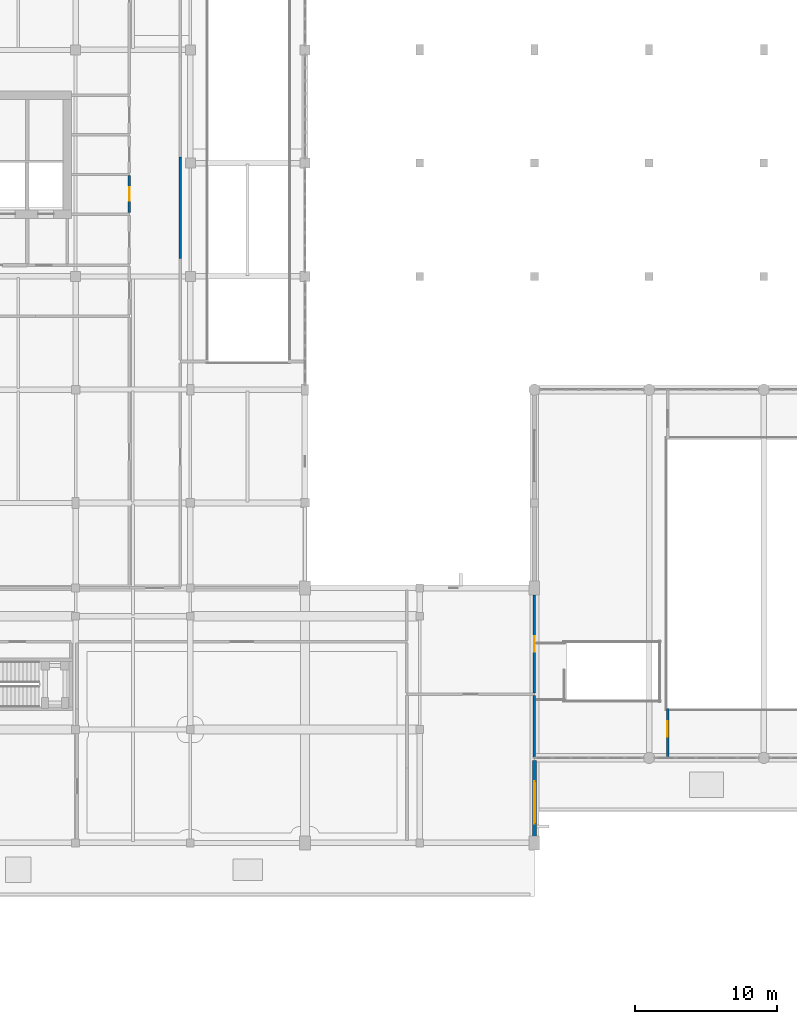
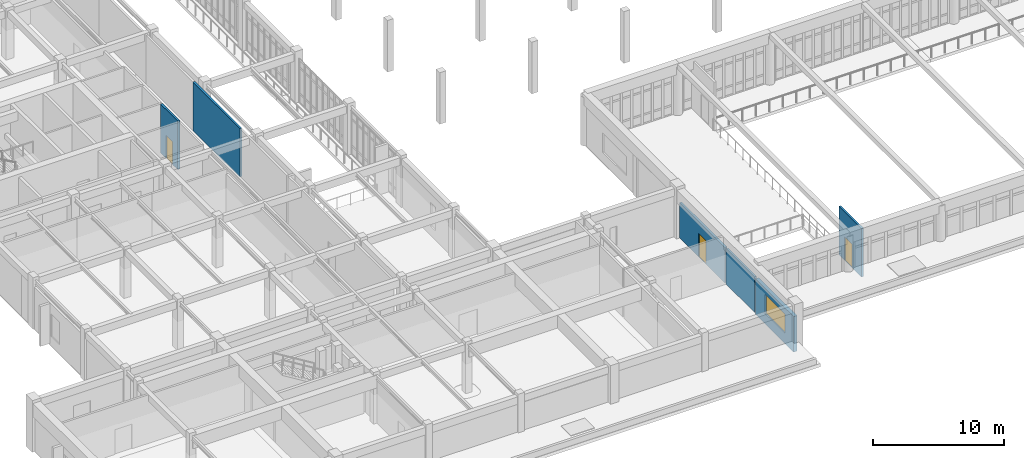
# One storey, part 44 of 61: 6 walls, 3 doors, 1 window, 4 openings.
"""IFC4 building model written with IfcOpenShell, lengths in metres."""

from ifc_helpers import new_model, si_unit, direction, frame, frame_2d, origin, place, context, subcontext, project, spatial, rectangle, extrude, material, layer, layer_set, type_object, element, fill, save


model = new_model("IFC4")

# Units and contexts
model_context = context("Model", 3, precision=1e-05, world=origin(), true_north=direction((0.0, 1.0)))
body_context = subcontext(model_context, "Body", "Model", "MODEL_VIEW")
ifc_project = project(units=[si_unit("LENGTHUNIT", "METRE"), si_unit("AREAUNIT", "SQUARE_METRE"), si_unit("VOLUMEUNIT", "CUBIC_METRE"), si_unit("PLANEANGLEUNIT", "RADIAN"), si_unit("MASSUNIT", "GRAM", prefix="KILO")], contexts=[model_context])

# Site, building, storey
site_placement = place(None, origin())
site = spatial("IfcSite", under=ifc_project, at=site_placement, CompositionType="ELEMENT")
building_placement = place(site_placement, origin())
building = spatial("IfcBuilding", under=site, at=building_placement, Name="Tarnveldt Square Police Headquarters", CompositionType="ELEMENT")
storey_placement = place(building_placement, frame((0.0, 0.0, 5.39990234375)))
storey = spatial("IfcBuildingStorey", under=building, at=storey_placement, Name="L01", CompositionType="ELEMENT", Elevation=5.39990234375)

# Wall, opening, window
ifc_material_1 = material(Name="Manganese ironspot clay brick masonry 20 MPa", Category="masonry")
ifc_layer_1 = layer(ifc_material_1, 0.300048828125)
ifc_layer_set_1 = layer_set([ifc_layer_1], Name="Manganese ironspot clay brick masonry 20 MPa")
wall_type_1 = type_object("IfcWallType", Name="WL-EXT-BRK300", PredefinedType="SOLIDWALL", material=ifc_layer_set_1)
wall_1_placement = place(storey_placement, frame((64.800048828125, 16.0, 0.0), z_axis=(0.0, 0.0, 1.0), x_axis=(0.0, 1.0, 0.0)))
wall_1 = element("IfcWall", 1, at=wall_1_placement, inside=storey, type_object=wall_type_1, Name="L01 Brutalist Exterior Wall 0065", PredefinedType="SOLIDWALL", context=body_context, shape_type="SweptSolid", body=[
    extrude(rectangle(XDim=5.820068359375, YDim=0.300048828125, at=frame_2d((2.91015625, 0.0))), origin(), (0.0, 0.0, 1.0), 3.31201171875),
])
opening_1_placement = place(wall_1_placement, frame((1.35009765625, 0.0, 0.949951171875)))
opening_1 = element("IfcOpeningElement", 2, at=opening_1_placement, cuts=wall_1, Name="Opening W17", PredefinedType="OPENING", context=body_context, shape_type="SweptSolid", body=[
    extrude(rectangle(XDim=3.0, YDim=1.800048828125, at=frame_2d((1.5, 0.89990234375))), frame((0.0, 0.159912109375, 0.0), z_axis=(0.0, -1.0, 0.0), x_axis=(1.0, 0.0, 0.0)), (0.0, 0.0, 1.0), 0.320068359375),
])
ifc_material_2 = material(Name="Triple-glazed low-e laminated vision glass", Category="glass")
window_type = type_object("IfcWindowType", Name="WIN-DR-300x180", PartitioningType="TRIPLE_PANEL_VERTICAL", PredefinedType="WINDOW", material=ifc_material_2)
window_placement = place(opening_1_placement, origin())
window = element("IfcWindow", 3, at=window_placement, inside=storey, type_object=window_type, Name="L01 Deep-Reveal Brutalist Window 0017", OverallHeight=1.800048828125, OverallWidth=3.0, PartitioningType="TRIPLE_PANEL_VERTICAL", PredefinedType="WINDOW", context=body_context, shape_type="SweptSolid", body=[
    extrude(rectangle(XDim=3.0, YDim=1.800048828125, at=frame_2d((1.5, 0.89990234375))), frame((0.0, 0.030029296875, 0.0), z_axis=(0.0, -1.0, 0.0), x_axis=(1.0, 0.0, 0.0)), (0.0, 0.0, 1.0), 0.06005859375),
])
fill(opening_1, window)

# Wall, opening, door
ifc_material_3 = material(Name="Fire-rated Type X gypsum board on steel studs", Category="steel")
ifc_layer_2 = layer(ifc_material_3, 0.179931640625)
ifc_layer_set_2 = layer_set([ifc_layer_2], Name="Fire-rated Type X gypsum board on steel studs")
wall_type_2 = type_object("IfcWallType", Name="WL-FIRE-180", PredefinedType="PARTITIONING", material=ifc_layer_set_2)
wall_2_placement = place(storey_placement, frame((36.199951171875, 60.498046875, 0.0), z_axis=(0.0, 0.0, 1.0), x_axis=(0.0, 1.0, 0.0)))
wall_2 = element("IfcWall", 4, at=wall_2_placement, inside=storey, type_object=wall_type_2, Name="L01 Interior Partition Wall 0277", PredefinedType="PARTITIONING", context=body_context, shape_type="SweptSolid", body=[
    extrude(rectangle(XDim=2.614013671875, YDim=0.179931640625, at=frame_2d((1.30712890625, 0.0))), origin(), (0.0, 0.0, 1.0), 4.52001953125),
])
opening_2_placement = place(wall_2_placement, frame((0.83203125, 0.0, 0.0)))
opening_2 = element("IfcOpeningElement", 5, at=opening_2_placement, cuts=wall_2, Name="Opening D02", PredefinedType="OPENING", context=body_context, shape_type="SweptSolid", body=[
    extrude(rectangle(XDim=0.949951171875, YDim=2.10009765625, at=frame_2d((0.47509765625, 1.050048828125))), frame((0.0, 0.099853515625, 0.0), z_axis=(0.0, -1.0, 0.0), x_axis=(1.0, 0.0, 0.0)), (0.0, 0.0, 1.0), 0.199951171875),
])
ifc_material_4 = material(Name="Solid core architectural birch door leaf", Category="wood")
door_type_1 = type_object("IfcDoorType", Name="DR-WC-950", OperationType="NOTDEFINED", PredefinedType="DOOR", material=ifc_material_4)
door_1_placement = place(opening_2_placement, origin())
door_1 = element("IfcDoor", 6, at=door_1_placement, inside=storey, type_object=door_type_1, Name="Men Washroom L01 Door", OperationType="SINGLE_SWING_LEFT", OverallHeight=2.10009765625, OverallWidth=0.949951171875, PredefinedType="DOOR", context=body_context, shape_type="SweptSolid", body=[
    extrude(rectangle(XDim=0.949951171875, YDim=2.10009765625, at=frame_2d((0.47509765625, 1.050048828125))), frame((0.0, 0.02490234375, 0.0), z_axis=(0.0, -1.0, 0.0), x_axis=(1.0, 0.0, 0.0)), (0.0, 0.0, 1.0), 0.050048828125),
])
fill(opening_2, door_1)

# Walls
wall_3_placement = place(storey_placement, frame((39.800048828125, 57.264892578125, 0.0), z_axis=(0.0, 0.0, 1.0), x_axis=(0.0, 1.0, 0.0)))
element("IfcWall", 7, at=wall_3_placement, inside=storey, type_object=wall_type_2, Name="L01 Interior Partition Wall 0286", PredefinedType="PARTITIONING", context=body_context, shape_type="SweptSolid", body=[
    extrude(rectangle(XDim=7.15673828125, YDim=0.179931640625, at=frame_2d((3.578369140625, 0.0))), origin(), (0.0, 0.0, 1.0), 4.52001953125),
])
wall_4_placement = place(storey_placement, frame((64.800048828125, 22.06494140625, 0.0), z_axis=(0.0, 0.0, 1.0), x_axis=(0.0, 1.0, 0.0)))
element("IfcWall", 8, at=wall_4_placement, inside=storey, type_object=wall_type_2, Name="L01 Interior Partition Wall 0302", PredefinedType="PARTITIONING", context=body_context, shape_type="SweptSolid", body=[
    extrude(rectangle(XDim=4.337158203125, YDim=0.179931640625, at=frame_2d((2.16845703125, 0.0))), origin(), (0.0, 0.0, 1.0), 3.31201171875),
])

# Wall, opening, door
wall_5_placement = place(storey_placement, frame((64.800048828125, 26.597900390625, 0.0), z_axis=(0.0, 0.0, 1.0), x_axis=(0.0, 1.0, 0.0)))
wall_5 = element("IfcWall", 9, at=wall_5_placement, inside=storey, type_object=wall_type_2, Name="L01 Interior Partition Wall 0303", PredefinedType="PARTITIONING", context=body_context, shape_type="SweptSolid", body=[
    extrude(rectangle(XDim=6.89404296875, YDim=0.179931640625, at=frame_2d((3.447021484375, 0.0))), origin(), (0.0, 0.0, 1.0), 3.31201171875),
])
opening_3_placement = place(wall_5_placement, frame((2.89697265625, 0.0, 0.0)))
opening_3 = element("IfcOpeningElement", 10, at=opening_3_placement, cuts=wall_5, Name="Opening D15", PredefinedType="OPENING", context=body_context, shape_type="SweptSolid", body=[
    extrude(rectangle(XDim=1.10009765625, YDim=2.199951171875, at=frame_2d((0.550048828125, 1.10009765625))), frame((0.0, 0.099853515625, 0.0), z_axis=(0.0, -1.0, 0.0), x_axis=(1.0, 0.0, 0.0)), (0.0, 0.0, 1.0), 0.199951171875),
])
ifc_material_5 = material(Name="Insulated hollow metal steel door leaf", Category="steel")
door_type_2 = type_object("IfcDoorType", Name="DR-FD60-1100", OperationType="NOTDEFINED", PredefinedType="DOOR", material=ifc_material_5)
door_2_placement = place(opening_3_placement, origin())
door_2 = element("IfcDoor", 11, at=door_2_placement, inside=storey, type_object=door_type_2, Name="Community Plinth East Vestibule L01 Door", OperationType="SINGLE_SWING_RIGHT", OverallHeight=2.199951171875, OverallWidth=1.10009765625, PredefinedType="DOOR", context=body_context, shape_type="SweptSolid", body=[
    extrude(rectangle(XDim=1.10009765625, YDim=2.199951171875, at=frame_2d((0.550048828125, 1.10009765625))), frame((0.0, 0.02490234375, 0.0), z_axis=(0.0, -1.0, 0.0), x_axis=(1.0, 0.0, 0.0)), (0.0, 0.0, 1.0), 0.050048828125),
])
fill(opening_3, door_2)

wall_6_placement = place(storey_placement, frame((74.199951171875, 22.06494140625, 0.0), z_axis=(0.0, 0.0, 1.0), x_axis=(0.0, 1.0, 0.0)))
wall_6 = element("IfcWall", 12, at=wall_6_placement, inside=storey, type_object=wall_type_2, Name="L01 Interior Partition Wall 0306", PredefinedType="PARTITIONING", context=body_context, shape_type="SweptSolid", body=[
    extrude(rectangle(XDim=3.425048828125, YDim=0.179931640625, at=frame_2d((1.71240234375, 0.0))), origin(), (0.0, 0.0, 1.0), 4.52001953125),
])
opening_4_placement = place(wall_6_placement, frame((1.4365234375, 0.0, 0.0)))
opening_4 = element("IfcOpeningElement", 13, at=opening_4_placement, cuts=wall_6, Name="Opening D07", PredefinedType="OPENING", context=body_context, shape_type="SweptSolid", body=[
    extrude(rectangle(XDim=1.10009765625, YDim=2.199951171875, at=frame_2d((0.550048828125, 1.10009765625))), frame((0.0, 0.099853515625, 0.0), z_axis=(0.0, -1.0, 0.0), x_axis=(1.0, 0.0, 0.0)), (0.0, 0.0, 1.0), 0.199951171875),
])
door_type_3 = type_object("IfcDoorType", Name="DR-INT-1100", OperationType="NOTDEFINED", PredefinedType="DOOR", material=ifc_material_4)
door_3_placement = place(opening_4_placement, frame((1.10009765625, 0.0, 0.0), z_axis=(0.0, 0.0, 1.0), x_axis=(-1.0, 0.0, 0.0)))
door_3 = element("IfcDoor", 14, at=door_3_placement, inside=storey, type_object=door_type_3, Name="Civic History Overlook Gallery Door", OperationType="SINGLE_SWING_LEFT", OverallHeight=2.199951171875, OverallWidth=1.10009765625, PredefinedType="DOOR", context=body_context, shape_type="SweptSolid", body=[
    extrude(rectangle(XDim=1.10009765625, YDim=2.199951171875, at=frame_2d((0.550048828125, 1.10009765625))), frame((0.0, 0.02490234375, 0.0), z_axis=(0.0, -1.0, 0.0), x_axis=(1.0, 0.0, 0.0)), (0.0, 0.0, 1.0), 0.050048828125),
])
fill(opening_4, door_3)

save(model, "model.ifc")
